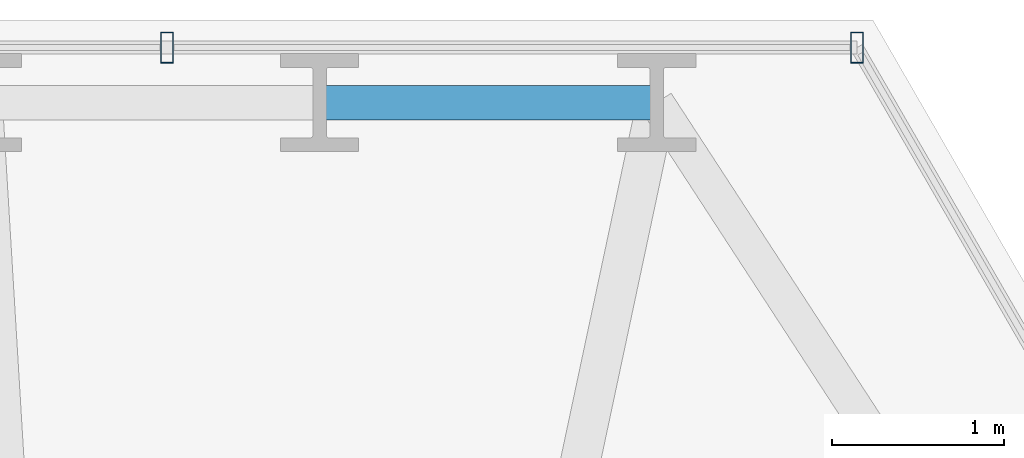
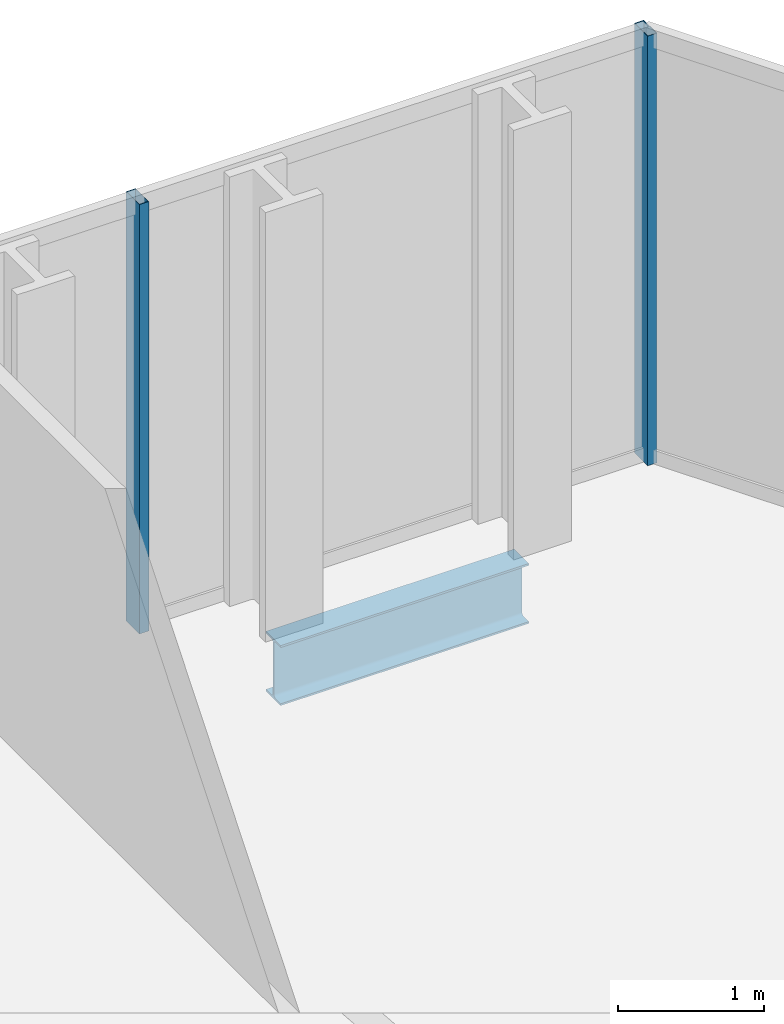
# One storey, part 24 of 32: 2 members, 1 beam, 1 element without a shape of its own.
"""IFC4 building model written with IfcOpenShell, lengths in metres."""

from ifc_helpers import new_model, si_unit, direction, frame, origin, origin_2d, place, context, subcontext, project, spatial, hollow_rectangle, i_section, extrude, material, layer, layer_set, material_profile, profile_set, type_object, element, aggregate, save


model = new_model("IFC4")

# Units and contexts
model_context = context("Model", 3, precision=1e-05, world=origin(), true_north=direction((0.0, 1.0)))
body_context = subcontext(model_context, "Body", "Model", "MODEL_VIEW")
ifc_project = project(units=[si_unit("LENGTHUNIT", "METRE"), si_unit("AREAUNIT", "SQUARE_METRE"), si_unit("VOLUMEUNIT", "CUBIC_METRE"), si_unit("PLANEANGLEUNIT", "RADIAN"), si_unit("MASSUNIT", "GRAM", prefix="KILO")], contexts=[model_context])

# Site, building, storey
site_placement = place(None, origin())
site = spatial("IfcSite", under=ifc_project, at=site_placement, CompositionType="ELEMENT")
building_placement = place(site_placement, origin())
building = spatial("IfcBuilding", under=site, at=building_placement, Name="Ndaravel Arena Tower", CompositionType="ELEMENT")
storey_placement = place(building_placement, frame((0.0, 0.0, 51.199951171875)))
storey = spatial("IfcBuildingStorey", under=building, at=storey_placement, Name="L10", CompositionType="ELEMENT", Elevation=51.199951171875)

# Beam
ifc_material_1 = material(Name="Steel S355", Category="steel")
ifc_material_profile_1 = material_profile(ifc_material_1, i_section(OverallWidth=0.199951171875, OverallDepth=0.5, WebThickness=0.01025390625, FlangeThickness=0.01611328125, FilletRadius=0.02099609375, at=origin_2d()), Name="IPE 500")
ifc_profile_set_1 = profile_set([ifc_material_profile_1], Name="Steel S355")
beam_type = type_object("IfcBeamType", Name="BM-SPAN-IPE500", PredefinedType="SPANDREL", material=ifc_profile_set_1)
beam_placement = place(storey_placement, frame((48.85009765625, 45.531494140625, -0.469970703125), z_axis=(-1.0, 0.0, 0.0), x_axis=(0.0, -1.0, 0.0)))
element("IfcBeam", 1, at=beam_placement, inside=storey, type_object=beam_type, Name="L10 Perimeter Spandrel Beam SP-11", PredefinedType="SPANDREL", context=body_context, shape_type="SweptSolid", body=[
    extrude(i_section(OverallWidth=0.199951171875, OverallDepth=0.5, WebThickness=0.01025390625, FlangeThickness=0.01611328125, FilletRadius=0.02099609375, at=origin_2d()), origin(), (0.0, 0.0, 1.0), 1.957275390625),
])

# Curtain wall, members
ifc_material_2 = material(Name="Aluminium", Category="aluminium")
ifc_layer = layer(ifc_material_2, 0.179931640625)
ifc_layer_set = layer_set([ifc_layer], Name="Aluminium")
curtain_wall_type = type_object("IfcCurtainWallType", Name="CW-SYS-01", PredefinedType="NOTDEFINED", material=ifc_layer_set)
curtain_wall_placement = place(storey_placement, origin())
curtain_wall = element("IfcCurtainWall", 2, at=curtain_wall_placement, inside=storey, type_object=curtain_wall_type, Name="L10 Faceted Crystal Curtain Wall CW-L10-E04", PredefinedType="NOTDEFINED")
ifc_material_3 = material(Name="Aluminium", Category="aluminium")
ifc_material_profile_2 = material_profile(ifc_material_3, hollow_rectangle(XDim=0.074951171875, YDim=0.179931640625, WallThickness=0.00390625, at=origin_2d()), Name="CW MULLION 75x180x4")
ifc_profile_set_2 = profile_set([ifc_material_profile_2], Name="Aluminium")
member_type = type_object("IfcMemberType", Name="MEM-CW-MUL180", PredefinedType="MULLION", material=ifc_profile_set_2)
member_1_placement = place(storey_placement, frame((50.01318359375, 45.851318359375, 0.0), z_axis=(0.0, 0.0, 1.0), x_axis=(-1.0, 0.0, 0.0)))
member_1 = element("IfcMember", 3, at=member_1_placement, type_object=member_type, Name="CW-L10-E04 Mullion 00", PredefinedType="MULLION", context=body_context, shape_type="SweptSolid", body=[
    extrude(hollow_rectangle(XDim=0.074951171875, YDim=0.179931640625, WallThickness=0.00390625, at=origin_2d()), origin(), (0.0, 0.0, 1.0), 3.580078125),
])
member_2_placement = place(storey_placement, frame((46.006591796875, 45.851318359375, 0.0), z_axis=(0.0, 0.0, 1.0), x_axis=(-1.0, 0.0, 0.0)))
member_2 = element("IfcMember", 4, at=member_2_placement, type_object=member_type, Name="CW-L10-E04 Mullion 01", PredefinedType="MULLION", context=body_context, shape_type="SweptSolid", body=[
    extrude(hollow_rectangle(XDim=0.074951171875, YDim=0.179931640625, WallThickness=0.00390625, at=origin_2d()), origin(), (0.0, 0.0, 1.0), 3.580078125),
])
aggregate(curtain_wall, [member_1, member_2])

save(model, "model.ifc")
